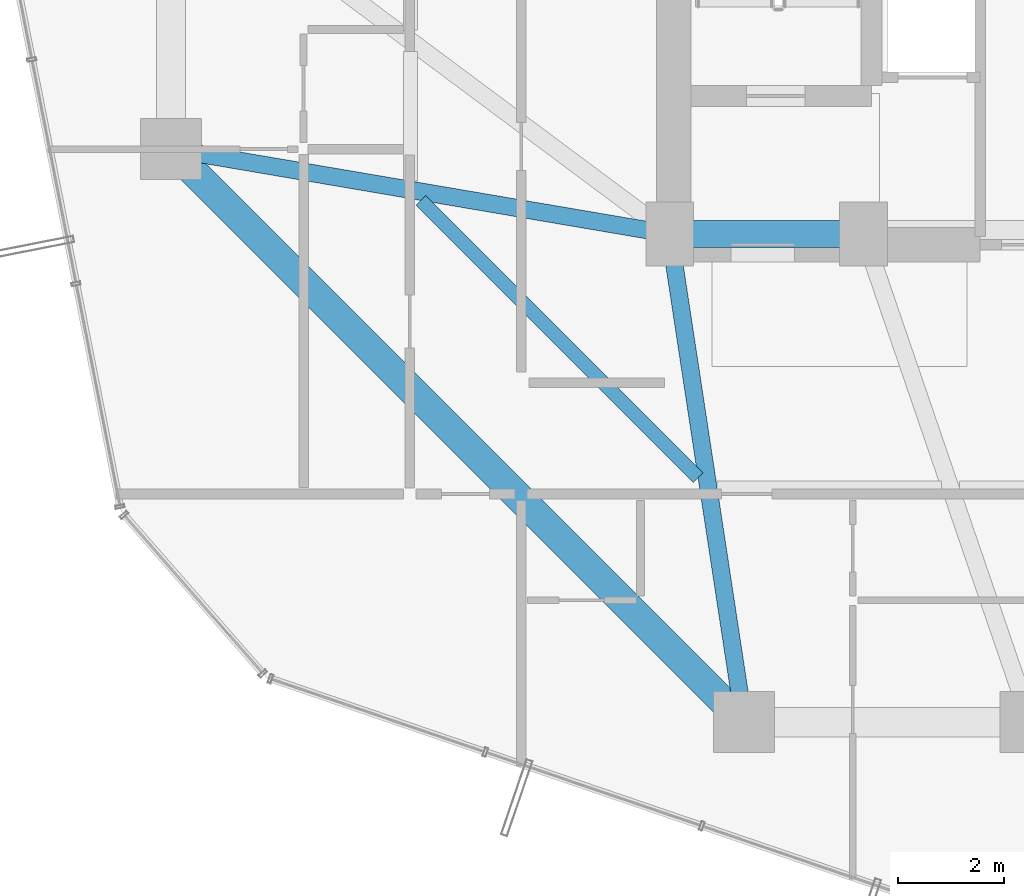
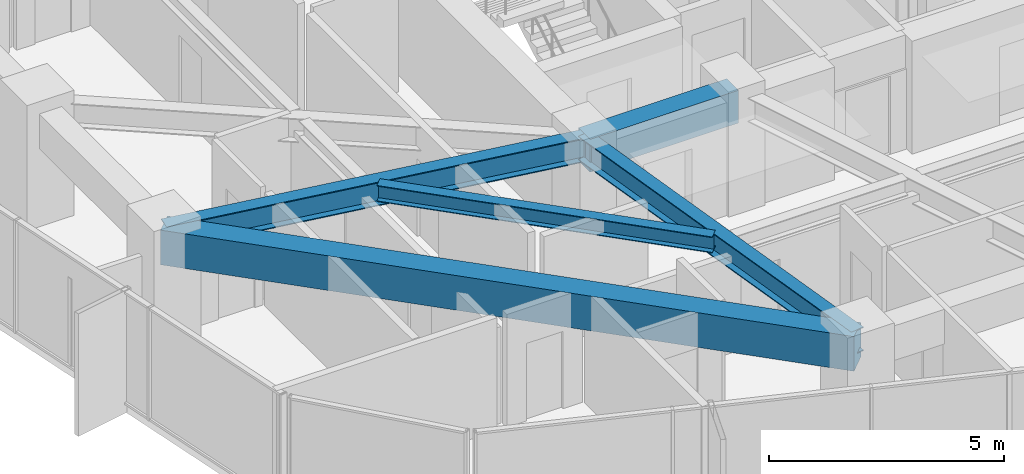
# One storey, part 5 of 36: 5 beams.
"""IFC4 building model written with IfcOpenShell, lengths in metres."""

from ifc_helpers import new_model, si_unit, direction, frame, origin, origin_2d, place, context, subcontext, project, spatial, rectangle, i_section, extrude, material, material_profile, profile_set, type_object, element, save


model = new_model("IFC4")

# Units and contexts
model_context = context("Model", 3, precision=1e-05, world=origin(), true_north=direction((0.0, 1.0)))
body_context = subcontext(model_context, "Body", "Model", "MODEL_VIEW")
ifc_project = project(units=[si_unit("LENGTHUNIT", "METRE"), si_unit("AREAUNIT", "SQUARE_METRE"), si_unit("VOLUMEUNIT", "CUBIC_METRE"), si_unit("PLANEANGLEUNIT", "RADIAN"), si_unit("MASSUNIT", "GRAM", prefix="KILO")], contexts=[model_context])

# Site, building, storey
site_placement = place(None, origin())
site = spatial("IfcSite", under=ifc_project, at=site_placement, CompositionType="ELEMENT")
building_placement = place(site_placement, origin())
building = spatial("IfcBuilding", under=site, at=building_placement, Name="Veraguas Prism Commons", CompositionType="ELEMENT")
storey_placement = place(building_placement, frame((0.0, 0.0, 166.300048828125)))
storey = spatial("IfcBuildingStorey", under=building, at=storey_placement, Name="L47", CompositionType="ELEMENT", Elevation=166.300048828125)

# Beams
ifc_material_1 = material(Name="Concrete C50/60", Category="concrete")
ifc_material_profile_1 = material_profile(ifc_material_1, rectangle(XDim=0.5, YDim=0.85009765625, at=origin_2d()), Name="RC500X850")
ifc_profile_set_1 = profile_set([ifc_material_profile_1], Name="Concrete C50/60")
beam_type_1 = type_object("IfcBeamType", Name="Core Coupling Beam RC 500x850", PredefinedType="BEAM", material=ifc_profile_set_1)
beam_1_placement = place(storey_placement, frame((17.199951171875, 17.0, 2.5048828125), z_axis=(1.0, 0.0, 0.0), x_axis=(0.0, 1.0, 0.0)))
element("IfcBeam", 1, at=beam_1_placement, inside=storey, type_object=beam_type_1, Name="Core Coupling Beam L47-CRS1", PredefinedType="BEAM", context=body_context, shape_type="SweptSolid", body=[
    extrude(rectangle(XDim=0.5, YDim=0.85009765625, at=origin_2d()), origin(), (0.0, 0.0, 1.0), 3.650146484375),
])
ifc_material_2 = material(Name="Steel ASTM A992 Grade 50", Category="steel")
ifc_material_profile_2 = material_profile(ifc_material_2, i_section(OverallWidth=0.260986328125, OverallDepth=0.419921875, WebThickness=0.01171875, FlangeThickness=0.019287109375, at=origin_2d()), Name="W410X114")
ifc_profile_set_2 = profile_set([ifc_material_profile_2], Name="Steel ASTM A992 Grade 50")
beam_type_2 = type_object("IfcBeamType", Name="Lower Floor Joist W410x114", PredefinedType="JOIST", material=ifc_profile_set_2)
beam_2_placement = place(storey_placement, frame((12.510009765625, 17.634033203125, 2.719970703125), z_axis=(0.707090260193, -0.707123301794, 0.0), x_axis=(0.707123301794, 0.707090260193, 0.0)))
element("IfcBeam", 2, at=beam_2_placement, inside=storey, type_object=beam_type_2, Name="Composite Floor Joist L47-JS09", PredefinedType="JOIST", context=body_context, shape_type="SweptSolid", body=[
    extrude(i_section(OverallWidth=0.260986328125, OverallDepth=0.419921875, WebThickness=0.01171875, FlangeThickness=0.019287109375, at=origin_2d()), origin(), (0.0, 0.0, 1.0), 7.388916015625),
])
ifc_material_profile_3 = material_profile(ifc_material_1, rectangle(XDim=0.550048828125, YDim=0.89990234375, at=origin_2d()), Name="RC550X900")
ifc_profile_set_3 = profile_set([ifc_material_profile_3], Name="Concrete C50/60")
beam_type_3 = type_object("IfcBeamType", Name="Perimeter Spandrel Lower RC 550x900", PredefinedType="SPANDREL", material=ifc_profile_set_3)
beam_3_placement = place(storey_placement, frame((7.800048828125, 18.60009765625, 2.47998046875), z_axis=(0.707106781187, -0.707106781187, 0.0), x_axis=(0.707106781187, 0.707106781187, 0.0)))
element("IfcBeam", 3, at=beam_3_placement, inside=storey, type_object=beam_type_3, Name="Perimeter Spandrel Beam L47-SP09", PredefinedType="SPANDREL", context=body_context, shape_type="SweptSolid", body=[
    extrude(rectangle(XDim=0.550048828125, YDim=0.89990234375, at=origin_2d()), origin(), (0.0, 0.0, 1.0), 15.273681640625),
])
ifc_material_profile_4 = material_profile(ifc_material_2, i_section(OverallWidth=0.327880859375, OverallDepth=0.6220703125, WebThickness=0.015380859375, FlangeThickness=0.0244140625, at=origin_2d()), Name="W610X195")
ifc_profile_set_4 = profile_set([ifc_material_profile_4], Name="Steel ASTM A992 Grade 50")
beam_type_4 = type_object("IfcBeamType", Name="Zone 2 Radial Girder W610x195", PredefinedType="BEAM", material=ifc_profile_set_4)
beam_4_placement = place(storey_placement, frame((7.800048828125, 18.60009765625, 2.618896484375), z_axis=(0.985819187151, -0.1678109956, 0.0), x_axis=(0.1678109956, 0.985819187151, 0.0)))
element("IfcBeam", 4, at=beam_4_placement, inside=storey, type_object=beam_type_4, Name="Radial Floor Girder L47-RD09", PredefinedType="BEAM", context=body_context, shape_type="SweptSolid", body=[
    extrude(i_section(OverallWidth=0.327880859375, OverallDepth=0.6220703125, WebThickness=0.015380859375, FlangeThickness=0.0244140625, at=origin_2d()), origin(), (0.0, 0.0, 1.0), 9.53515625),
])
beam_5_placement = place(storey_placement, frame((18.60009765625, 7.800048828125, 2.618896484375), z_axis=(-0.150458162136, 0.98861637729, 0.0), x_axis=(-0.98861637729, -0.150458162136, 0.0)))
element("IfcBeam", 5, at=beam_5_placement, inside=storey, type_object=beam_type_4, Name="Radial Floor Girder L47-RD10", PredefinedType="BEAM", context=body_context, shape_type="SweptSolid", body=[
    extrude(i_section(OverallWidth=0.327880859375, OverallDepth=0.6220703125, WebThickness=0.015380859375, FlangeThickness=0.0244140625, at=origin_2d()), origin(), (0.0, 0.0, 1.0), 9.305908203125),
])

save(model, "model.ifc")
